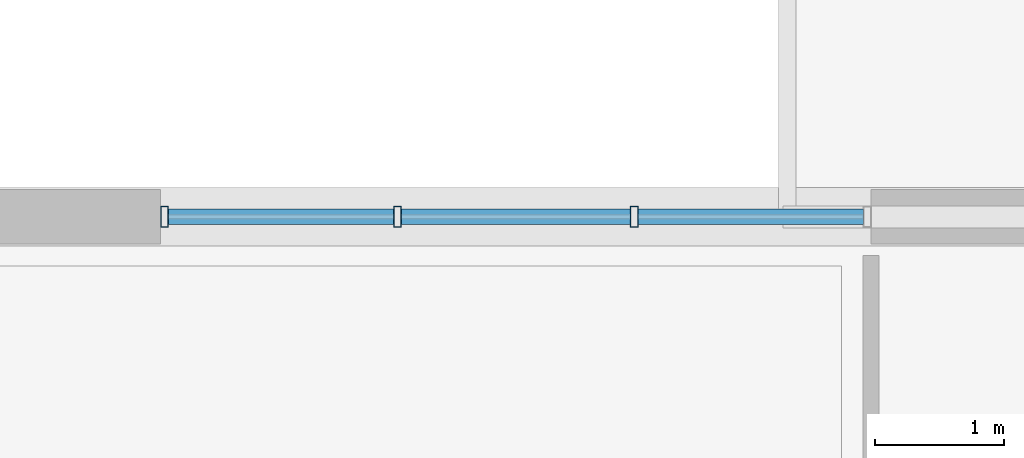
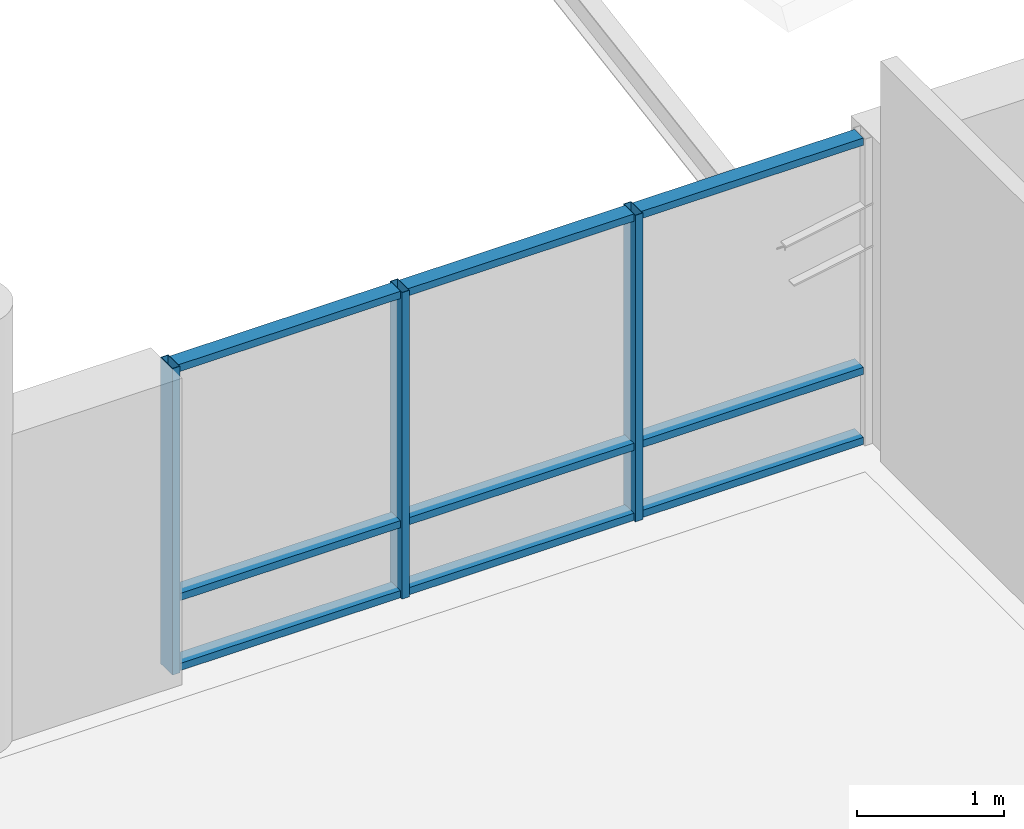
# One storey, part 82 of 189: 12 members, 1 element without a shape of its own.
"""IFC4 building model written with IfcOpenShell, lengths in metres."""

from ifc_helpers import new_model, si_unit, direction, frame, origin, origin_2d, place, context, subcontext, project, spatial, hollow_rectangle, extrude, material, material_profile, profile_set, type_object, element, aggregate, save


model = new_model("IFC4")

# Units and contexts
model_context = context("Model", 3, precision=1e-05, world=origin(), true_north=direction((0.0, 1.0)))
body_context = subcontext(model_context, "Body", "Model", "MODEL_VIEW")
ifc_project = project(units=[si_unit("LENGTHUNIT", "METRE"), si_unit("AREAUNIT", "SQUARE_METRE"), si_unit("VOLUMEUNIT", "CUBIC_METRE"), si_unit("PLANEANGLEUNIT", "RADIAN"), si_unit("MASSUNIT", "GRAM", prefix="KILO")], contexts=[model_context])

# Site, building, storey
site_placement = place(None, origin())
site = spatial("IfcSite", under=ifc_project, at=site_placement, CompositionType="ELEMENT")
building_placement = place(site_placement, origin())
building = spatial("IfcBuilding", under=site, at=building_placement, Name="Zavelmont Quarter", CompositionType="ELEMENT")
storey_placement = place(building_placement, frame((0.0, 0.0, 4.39990234375)))
storey = spatial("IfcBuildingStorey", under=building, at=storey_placement, Name="L01", CompositionType="ELEMENT", Elevation=4.39990234375)

# Curtain wall, members
ifc_material_1 = material(Name="Thermally broken aluminium and double low-E safety glazing", Category="aluminium")
curtain_wall_type = type_object("IfcCurtainWallType", Name="CW-550X254", PredefinedType="NOTDEFINED", material=ifc_material_1)
curtain_wall_placement = place(storey_placement, origin())
curtain_wall = element("IfcCurtainWall", 1, at=curtain_wall_placement, inside=storey, type_object=curtain_wall_type, Name="L01 unitised curtain wall CW-550X254", PredefinedType="NOTDEFINED")
ifc_material_2 = material(Name="Powder-coated aluminium EN AW-6063-T6", Category="aluminium")
ifc_material_profile_1 = material_profile(ifc_material_2, hollow_rectangle(XDim=0.06005859375, YDim=0.159912109375, WallThickness=0.00390625, at=origin_2d()), Name="CWM60X160")
ifc_profile_set_1 = profile_set([ifc_material_profile_1], Name="Powder-coated aluminium EN AW-6063-T6")
member_type_1 = type_object("IfcMemberType", Name="CWM01", PredefinedType="MULLION", material=ifc_profile_set_1)
member_1_placement = place(storey_placement, frame((71.179931640625, 86.0, 0.0), z_axis=(0.0, 0.0, 1.0), x_axis=(1.0, 0.0, 0.0)))
member_1 = element("IfcMember", 2, at=member_1_placement, type_object=member_type_1, Name="CW-550X254 mullion 1", PredefinedType="MULLION", context=body_context, shape_type="SweptSolid", body=[
    extrude(hollow_rectangle(XDim=0.06005859375, YDim=0.159912109375, WallThickness=0.00390625, at=origin_2d()), origin(), (0.0, 0.0, 1.0), 2.545166015625),
])
member_2_placement = place(storey_placement, frame((72.9833984375, 86.0, 0.0), z_axis=(0.0, 0.0, 1.0), x_axis=(1.0, 0.0, 0.0)))
member_2 = element("IfcMember", 3, at=member_2_placement, type_object=member_type_1, Name="CW-550X254 mullion 2", PredefinedType="MULLION", context=body_context, shape_type="SweptSolid", body=[
    extrude(hollow_rectangle(XDim=0.06005859375, YDim=0.159912109375, WallThickness=0.00390625, at=origin_2d()), origin(), (0.0, 0.0, 1.0), 2.545166015625),
])
member_3_placement = place(storey_placement, frame((74.816650390625, 86.0, 0.0), z_axis=(0.0, 0.0, 1.0), x_axis=(1.0, 0.0, 0.0)))
member_3 = element("IfcMember", 4, at=member_3_placement, type_object=member_type_1, Name="CW-550X254 mullion 3", PredefinedType="MULLION", context=body_context, shape_type="SweptSolid", body=[
    extrude(hollow_rectangle(XDim=0.06005859375, YDim=0.159912109375, WallThickness=0.00390625, at=origin_2d()), origin(), (0.0, 0.0, 1.0), 2.545166015625),
])
ifc_material_profile_2 = material_profile(ifc_material_2, hollow_rectangle(XDim=0.1201171875, YDim=0.06005859375, WallThickness=0.00390625, at=origin_2d()), Name="CWT60X120")
ifc_profile_set_2 = profile_set([ifc_material_profile_2], Name="Powder-coated aluminium EN AW-6063-T6")
member_type_2 = type_object("IfcMemberType", Name="CWT01", PredefinedType="NOTDEFINED", material=ifc_profile_set_2)
member_4_placement = place(storey_placement, frame((71.2099609375, 86.0, 0.030029296875), z_axis=(1.0, 0.0, 0.0), x_axis=(0.0, 1.0, 0.0)))
member_4 = element("IfcMember", 5, at=member_4_placement, type_object=member_type_2, Name="CW-550X254 transom 1.1", ObjectType="TRANSOM", PredefinedType="USERDEFINED", context=body_context, shape_type="SweptSolid", body=[
    extrude(hollow_rectangle(XDim=0.1201171875, YDim=0.06005859375, WallThickness=0.00390625, at=origin_2d()), origin(), (0.0, 0.0, 1.0), 1.743408203125),
])
member_5_placement = place(storey_placement, frame((71.2099609375, 86.0, 0.611083984375), z_axis=(1.0, 0.0, 0.0), x_axis=(0.0, 1.0, 0.0)))
member_5 = element("IfcMember", 6, at=member_5_placement, type_object=member_type_2, Name="CW-550X254 transom 1.2", ObjectType="TRANSOM", PredefinedType="USERDEFINED", context=body_context, shape_type="SweptSolid", body=[
    extrude(hollow_rectangle(XDim=0.1201171875, YDim=0.06005859375, WallThickness=0.00390625, at=origin_2d()), origin(), (0.0, 0.0, 1.0), 1.743408203125),
])
member_6_placement = place(storey_placement, frame((71.2099609375, 86.0, 2.51513671875), z_axis=(1.0, 0.0, 0.0), x_axis=(0.0, 1.0, 0.0)))
member_6 = element("IfcMember", 7, at=member_6_placement, type_object=member_type_2, Name="CW-550X254 transom 1.3", ObjectType="TRANSOM", PredefinedType="USERDEFINED", context=body_context, shape_type="SweptSolid", body=[
    extrude(hollow_rectangle(XDim=0.1201171875, YDim=0.06005859375, WallThickness=0.00390625, at=origin_2d()), origin(), (0.0, 0.0, 1.0), 1.743408203125),
])
member_7_placement = place(storey_placement, frame((73.013427734375, 86.0, 0.030029296875), z_axis=(1.0, 0.0, 0.0), x_axis=(0.0, 1.0, 0.0)))
member_7 = element("IfcMember", 8, at=member_7_placement, type_object=member_type_2, Name="CW-550X254 transom 2.1", ObjectType="TRANSOM", PredefinedType="USERDEFINED", context=body_context, shape_type="SweptSolid", body=[
    extrude(hollow_rectangle(XDim=0.1201171875, YDim=0.06005859375, WallThickness=0.00390625, at=origin_2d()), origin(), (0.0, 0.0, 1.0), 1.773193359375),
])
member_8_placement = place(storey_placement, frame((73.013427734375, 86.0, 0.611083984375), z_axis=(1.0, 0.0, 0.0), x_axis=(0.0, 1.0, 0.0)))
member_8 = element("IfcMember", 9, at=member_8_placement, type_object=member_type_2, Name="CW-550X254 transom 2.2", ObjectType="TRANSOM", PredefinedType="USERDEFINED", context=body_context, shape_type="SweptSolid", body=[
    extrude(hollow_rectangle(XDim=0.1201171875, YDim=0.06005859375, WallThickness=0.00390625, at=origin_2d()), origin(), (0.0, 0.0, 1.0), 1.773193359375),
])
member_9_placement = place(storey_placement, frame((73.013427734375, 86.0, 2.51513671875), z_axis=(1.0, 0.0, 0.0), x_axis=(0.0, 1.0, 0.0)))
member_9 = element("IfcMember", 10, at=member_9_placement, type_object=member_type_2, Name="CW-550X254 transom 2.3", ObjectType="TRANSOM", PredefinedType="USERDEFINED", context=body_context, shape_type="SweptSolid", body=[
    extrude(hollow_rectangle(XDim=0.1201171875, YDim=0.06005859375, WallThickness=0.00390625, at=origin_2d()), origin(), (0.0, 0.0, 1.0), 1.773193359375),
])
member_10_placement = place(storey_placement, frame((74.8466796875, 86.0, 0.030029296875), z_axis=(1.0, 0.0, 0.0), x_axis=(0.0, 1.0, 0.0)))
member_10 = element("IfcMember", 11, at=member_10_placement, type_object=member_type_2, Name="CW-550X254 transom 3.1", ObjectType="TRANSOM", PredefinedType="USERDEFINED", context=body_context, shape_type="SweptSolid", body=[
    extrude(hollow_rectangle(XDim=0.1201171875, YDim=0.06005859375, WallThickness=0.00390625, at=origin_2d()), origin(), (0.0, 0.0, 1.0), 1.743408203125),
])
member_11_placement = place(storey_placement, frame((74.8466796875, 86.0, 0.611083984375), z_axis=(1.0, 0.0, 0.0), x_axis=(0.0, 1.0, 0.0)))
member_11 = element("IfcMember", 12, at=member_11_placement, type_object=member_type_2, Name="CW-550X254 transom 3.2", ObjectType="TRANSOM", PredefinedType="USERDEFINED", context=body_context, shape_type="SweptSolid", body=[
    extrude(hollow_rectangle(XDim=0.1201171875, YDim=0.06005859375, WallThickness=0.00390625, at=origin_2d()), origin(), (0.0, 0.0, 1.0), 1.743408203125),
])
member_12_placement = place(storey_placement, frame((74.8466796875, 86.0, 2.51513671875), z_axis=(1.0, 0.0, 0.0), x_axis=(0.0, 1.0, 0.0)))
member_12 = element("IfcMember", 13, at=member_12_placement, type_object=member_type_2, Name="CW-550X254 transom 3.3", ObjectType="TRANSOM", PredefinedType="USERDEFINED", context=body_context, shape_type="SweptSolid", body=[
    extrude(hollow_rectangle(XDim=0.1201171875, YDim=0.06005859375, WallThickness=0.00390625, at=origin_2d()), origin(), (0.0, 0.0, 1.0), 1.743408203125),
])
aggregate(curtain_wall, [member_1, member_2, member_3, member_4, member_5, member_6, member_7, member_8, member_9, member_10, member_11, member_12])

save(model, "model.ifc")
